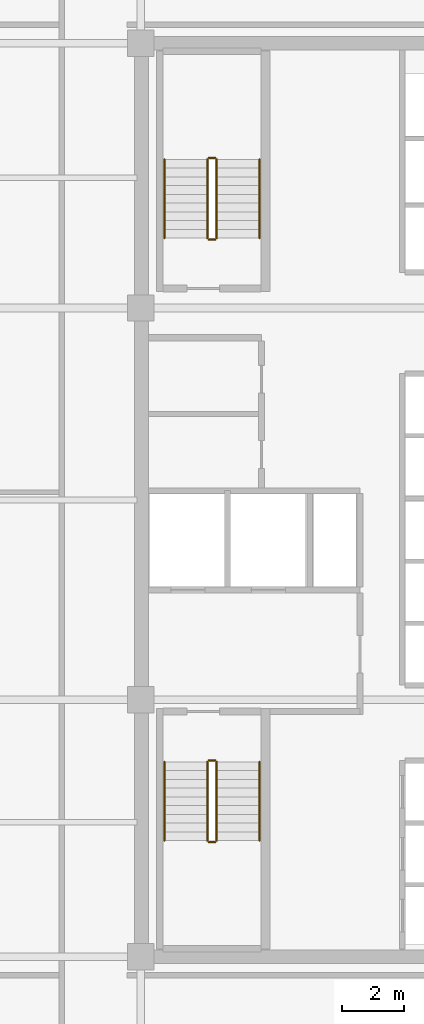
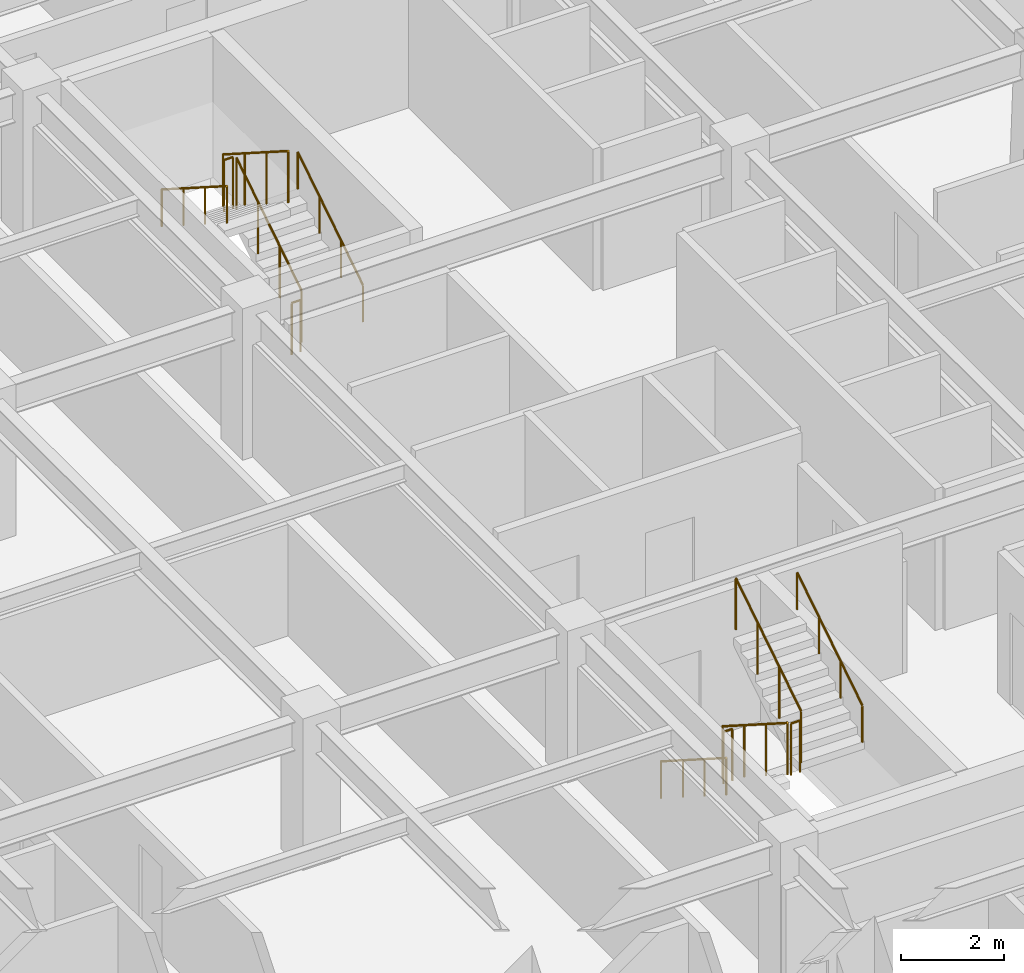
# One storey, part 13 of 13: 12 railings.
"""IFC4 building model written with IfcOpenShell, lengths in metres."""

from ifc_helpers import new_model, si_unit, direction, frame, origin, origin_2d, place, context, subcontext, project, spatial, circle, extrude, material, type_object, element, save


model = new_model("IFC4")

# Units and contexts
model_context = context("Model", 3, precision=1e-05, world=origin(), true_north=direction((0.0, 1.0)))
body_context = subcontext(model_context, "Body", "Model", "MODEL_VIEW")
ifc_project = project(units=[si_unit("LENGTHUNIT", "METRE"), si_unit("AREAUNIT", "SQUARE_METRE"), si_unit("VOLUMEUNIT", "CUBIC_METRE"), si_unit("PLANEANGLEUNIT", "RADIAN"), si_unit("MASSUNIT", "GRAM", prefix="KILO")], contexts=[model_context])

# Site, building, storey
site_placement = place(None, origin())
site = spatial("IfcSite", under=ifc_project, at=site_placement, CompositionType="ELEMENT")
building_placement = place(site_placement, origin())
building = spatial("IfcBuilding", under=site, at=building_placement, Name="Ochreholt Gables", CompositionType="ELEMENT")
storey_placement = place(building_placement, frame((0.0, 0.0, 49.199951171875)))
storey = spatial("IfcBuildingStorey", under=building, at=storey_placement, Name="L12", CompositionType="ELEMENT", Elevation=49.199951171875)

# Railings
ifc_material_1 = material(Name="Painted Steel Stair Guardrail", Category="steel")
railing_type_1 = type_object("IfcRailingType", Name="RL-ST-GUARD", PredefinedType="GUARDRAIL", material=ifc_material_1)
railing_1_placement = place(storey_placement, frame((26.35009765625, 15.5400390625, 0.179931640625)))
element("IfcRailing", 1, at=railing_1_placement, inside=storey, type_object=railing_type_1, Name="L12 ST-1 stair guard 1", PredefinedType="GUARDRAIL", context=body_context, shape_type="SweptSolid", body=[
    extrude(circle(Radius=0.02392578125, at=origin_2d()), frame((0.0, 0.0, 1.22607421875), z_axis=(0.0, -0.842912820907, 0.538050161556), x_axis=(1.0, 0.0, 0.0)), (0.0, 0.0, 1.0), 3.010986328125),
    extrude(circle(Radius=0.02099609375, at=origin_2d()), origin(), (0.0, 0.0, 1.0), 1.201904296875),
    extrude(circle(Radius=0.02099609375, at=origin_2d()), frame((0.0, -0.845947265625, 0.5400390625)), (0.0, 0.0, 1.0), 1.201904296875),
    extrude(circle(Radius=0.02099609375, at=origin_2d()), frame((0.0, -1.692138671875, 1.080078125)), (0.0, 0.0, 1.0), 1.201904296875),
    extrude(circle(Radius=0.02099609375, at=origin_2d()), frame((0.0, -2.5380859375, 1.6201171875)), (0.0, 0.0, 1.0), 1.201904296875),
])
railing_2_placement = place(storey_placement, frame((26.39990234375, 12.951904296875, 1.800048828125)))
element("IfcRailing", 2, at=railing_2_placement, inside=storey, type_object=railing_type_1, Name="L12 ST-1 stair guard 2", PredefinedType="GUARDRAIL", context=body_context, shape_type="SweptSolid", body=[
    extrude(circle(Radius=0.02392578125, at=origin_2d()), frame((0.0, 0.0, 1.22607421875), z_axis=(1.0, 0.0, 0.0), x_axis=(0.0, 1.0, 0.0)), (0.0, 0.0, 1.0), 0.2001953125),
    extrude(circle(Radius=0.02099609375, at=origin_2d()), origin(), (0.0, 0.0, 1.0), 1.201904296875),
    extrude(circle(Radius=0.02099609375, at=origin_2d()), frame((0.2001953125, 0.0, 0.0)), (0.0, 0.0, 1.0), 1.201904296875),
])
railing_3_placement = place(storey_placement, frame((26.64990234375, 13.001953125, 1.97998046875)))
element("IfcRailing", 3, at=railing_3_placement, inside=storey, type_object=railing_type_1, Name="L12 ST-1 stair guard 3", PredefinedType="GUARDRAIL", context=body_context, shape_type="SweptSolid", body=[
    extrude(circle(Radius=0.02392578125, at=origin_2d()), frame((0.0, 0.0, 1.22607421875), z_axis=(0.0, 0.842912820907, 0.538050161556), x_axis=(-1.0, 0.0, 0.0)), (0.0, 0.0, 1.0), 3.010986328125),
    extrude(circle(Radius=0.02099609375, at=origin_2d()), origin(), (0.0, 0.0, 1.0), 1.201904296875),
    extrude(circle(Radius=0.02099609375, at=origin_2d()), frame((0.0, 0.845947265625, 0.5400390625)), (0.0, 0.0, 1.0), 1.201904296875),
    extrude(circle(Radius=0.02099609375, at=origin_2d()), frame((0.0, 1.692138671875, 1.080078125)), (0.0, 0.0, 1.0), 1.201904296875),
    extrude(circle(Radius=0.02099609375, at=origin_2d()), frame((0.0, 2.5380859375, 1.6201171875)), (0.0, 0.0, 1.0), 1.201904296875),
])
railing_4_placement = place(storey_placement, frame((26.39990234375, 15.590087890625, 0.0)))
element("IfcRailing", 4, at=railing_4_placement, inside=storey, type_object=railing_type_1, Name="L12 ST-1 stair guard 4", PredefinedType="GUARDRAIL", context=body_context, shape_type="SweptSolid", body=[
    extrude(circle(Radius=0.02392578125, at=origin_2d()), frame((0.0, 0.0, 1.22607421875), z_axis=(1.0, 0.0, 0.0), x_axis=(0.0, 1.0, 0.0)), (0.0, 0.0, 1.0), 0.2001953125),
    extrude(circle(Radius=0.02099609375, at=origin_2d()), origin(), (0.0, 0.0, 1.0), 1.201904296875),
    extrude(circle(Radius=0.02099609375, at=origin_2d()), frame((0.2001953125, 0.0, 0.0)), (0.0, 0.0, 1.0), 1.201904296875),
])
railing_5_placement = place(storey_placement, frame((26.64990234375, 32.4599609375, 0.179931640625)))
element("IfcRailing", 5, at=railing_5_placement, inside=storey, type_object=railing_type_1, Name="L12 ST-2 stair guard 1", PredefinedType="GUARDRAIL", context=body_context, shape_type="SweptSolid", body=[
    extrude(circle(Radius=0.02392578125, at=origin_2d()), frame((0.0, 0.0, 1.22607421875), z_axis=(0.0, 0.842912820907, 0.538050161556), x_axis=(-1.0, 0.0, 0.0)), (0.0, 0.0, 1.0), 3.010986328125),
    extrude(circle(Radius=0.02099609375, at=origin_2d()), origin(), (0.0, 0.0, 1.0), 1.201904296875),
    extrude(circle(Radius=0.02099609375, at=origin_2d()), frame((0.0, 0.845947265625, 0.5400390625)), (0.0, 0.0, 1.0), 1.201904296875),
    extrude(circle(Radius=0.02099609375, at=origin_2d()), frame((0.0, 1.692138671875, 1.080078125)), (0.0, 0.0, 1.0), 1.201904296875),
    extrude(circle(Radius=0.02099609375, at=origin_2d()), frame((0.0, 2.5380859375, 1.6201171875)), (0.0, 0.0, 1.0), 1.201904296875),
])
railing_6_placement = place(storey_placement, frame((26.60009765625, 35.048095703125, 1.800048828125)))
element("IfcRailing", 6, at=railing_6_placement, inside=storey, type_object=railing_type_1, Name="L12 ST-2 stair guard 2", PredefinedType="GUARDRAIL", context=body_context, shape_type="SweptSolid", body=[
    extrude(circle(Radius=0.02392578125, at=origin_2d()), frame((0.0, 0.0, 1.22607421875), z_axis=(-1.0, 0.0, 0.0), x_axis=(0.0, -1.0, 0.0)), (0.0, 0.0, 1.0), 0.2001953125),
    extrude(circle(Radius=0.02099609375, at=origin_2d()), origin(), (0.0, 0.0, 1.0), 1.201904296875),
    extrude(circle(Radius=0.02099609375, at=origin_2d()), frame((-0.2001953125, 0.0, 0.0)), (0.0, 0.0, 1.0), 1.201904296875),
])
railing_7_placement = place(storey_placement, frame((26.35009765625, 34.998046875, 1.97998046875)))
element("IfcRailing", 7, at=railing_7_placement, inside=storey, type_object=railing_type_1, Name="L12 ST-2 stair guard 3", PredefinedType="GUARDRAIL", context=body_context, shape_type="SweptSolid", body=[
    extrude(circle(Radius=0.02392578125, at=origin_2d()), frame((0.0, 0.0, 1.22607421875), z_axis=(0.0, -0.842912820907, 0.538050161556), x_axis=(1.0, 0.0, 0.0)), (0.0, 0.0, 1.0), 3.010986328125),
    extrude(circle(Radius=0.02099609375, at=origin_2d()), origin(), (0.0, 0.0, 1.0), 1.201904296875),
    extrude(circle(Radius=0.02099609375, at=origin_2d()), frame((0.0, -0.845947265625, 0.5400390625)), (0.0, 0.0, 1.0), 1.201904296875),
    extrude(circle(Radius=0.02099609375, at=origin_2d()), frame((0.0, -1.692138671875, 1.080078125)), (0.0, 0.0, 1.0), 1.201904296875),
    extrude(circle(Radius=0.02099609375, at=origin_2d()), frame((0.0, -2.5380859375, 1.6201171875)), (0.0, 0.0, 1.0), 1.201904296875),
])
railing_8_placement = place(storey_placement, frame((26.60009765625, 32.409912109375, 0.0)))
element("IfcRailing", 8, at=railing_8_placement, inside=storey, type_object=railing_type_1, Name="L12 ST-2 stair guard 4", PredefinedType="GUARDRAIL", context=body_context, shape_type="SweptSolid", body=[
    extrude(circle(Radius=0.02392578125, at=origin_2d()), frame((0.0, 0.0, 1.22607421875), z_axis=(-1.0, 0.0, 0.0), x_axis=(0.0, -1.0, 0.0)), (0.0, 0.0, 1.0), 0.2001953125),
    extrude(circle(Radius=0.02099609375, at=origin_2d()), origin(), (0.0, 0.0, 1.0), 1.201904296875),
    extrude(circle(Radius=0.02099609375, at=origin_2d()), frame((-0.2001953125, 0.0, 0.0)), (0.0, 0.0, 1.0), 1.201904296875),
])
ifc_material_2 = material(Name="Brushed Stainless Steel Wall Handrail", Category="steel")
railing_type_2 = type_object("IfcRailingType", Name="RL-ST-HAND", PredefinedType="HANDRAIL", material=ifc_material_2)
railing_9_placement = place(storey_placement, frame((24.969970703125, 15.5400390625, 0.179931640625)))
element("IfcRailing", 9, at=railing_9_placement, inside=storey, type_object=railing_type_2, Name="L12 ST-1 stair handrail 1", PredefinedType="HANDRAIL", context=body_context, shape_type="SweptSolid", body=[
    extrude(circle(Radius=0.02392578125, at=origin_2d()), frame((0.0, 0.0, 0.8759765625), z_axis=(0.0, -0.842912820907, 0.538050161556), x_axis=(1.0, 0.0, 0.0)), (0.0, 0.0, 1.0), 3.010986328125),
    extrude(circle(Radius=0.02099609375, at=origin_2d()), origin(), (0.0, 0.0, 1.0), 0.851806640625),
    extrude(circle(Radius=0.02099609375, at=origin_2d()), frame((0.0, -0.845947265625, 0.5400390625)), (0.0, 0.0, 1.0), 0.851806640625),
    extrude(circle(Radius=0.02099609375, at=origin_2d()), frame((0.0, -1.692138671875, 1.080078125)), (0.0, 0.0, 1.0), 0.851806640625),
    extrude(circle(Radius=0.02099609375, at=origin_2d()), frame((0.0, -2.5380859375, 1.6201171875)), (0.0, 0.0, 1.0), 0.851806640625),
])
for number, where, name in (
    (10, (28.030029296875, 13.001953125, 1.97998046875), "L12 ST-1 stair handrail 2"),
    (11, (28.030029296875, 32.4599609375, 0.179931640625), "L12 ST-2 stair handrail 1"),
):
    element("IfcRailing", number, at=place(storey_placement, frame(where)), inside=storey, type_object=railing_type_2, Name=name, PredefinedType="HANDRAIL", context=body_context, shape_type="SweptSolid", body=[
        extrude(circle(Radius=0.02392578125, at=origin_2d()), frame((0.0, 0.0, 0.8759765625), z_axis=(0.0, 0.842912820907, 0.538050161556), x_axis=(-1.0, 0.0, 0.0)), (0.0, 0.0, 1.0), 3.010986328125),
        extrude(circle(Radius=0.02099609375, at=origin_2d()), origin(), (0.0, 0.0, 1.0), 0.851806640625),
        extrude(circle(Radius=0.02099609375, at=origin_2d()), frame((0.0, 0.845947265625, 0.5400390625)), (0.0, 0.0, 1.0), 0.851806640625),
        extrude(circle(Radius=0.02099609375, at=origin_2d()), frame((0.0, 1.692138671875, 1.080078125)), (0.0, 0.0, 1.0), 0.851806640625),
        extrude(circle(Radius=0.02099609375, at=origin_2d()), frame((0.0, 2.5380859375, 1.6201171875)), (0.0, 0.0, 1.0), 0.851806640625),
    ])
railing_10_placement = place(storey_placement, frame((24.969970703125, 34.998046875, 1.97998046875)))
element("IfcRailing", 12, at=railing_10_placement, inside=storey, type_object=railing_type_2, Name="L12 ST-2 stair handrail 2", PredefinedType="HANDRAIL", context=body_context, shape_type="SweptSolid", body=[
    extrude(circle(Radius=0.02392578125, at=origin_2d()), frame((0.0, 0.0, 0.8759765625), z_axis=(0.0, -0.842912820907, 0.538050161556), x_axis=(1.0, 0.0, 0.0)), (0.0, 0.0, 1.0), 3.010986328125),
    extrude(circle(Radius=0.02099609375, at=origin_2d()), origin(), (0.0, 0.0, 1.0), 0.851806640625),
    extrude(circle(Radius=0.02099609375, at=origin_2d()), frame((0.0, -0.845947265625, 0.5400390625)), (0.0, 0.0, 1.0), 0.851806640625),
    extrude(circle(Radius=0.02099609375, at=origin_2d()), frame((0.0, -1.692138671875, 1.080078125)), (0.0, 0.0, 1.0), 0.851806640625),
    extrude(circle(Radius=0.02099609375, at=origin_2d()), frame((0.0, -2.5380859375, 1.6201171875)), (0.0, 0.0, 1.0), 0.851806640625),
])

save(model, "model.ifc")
